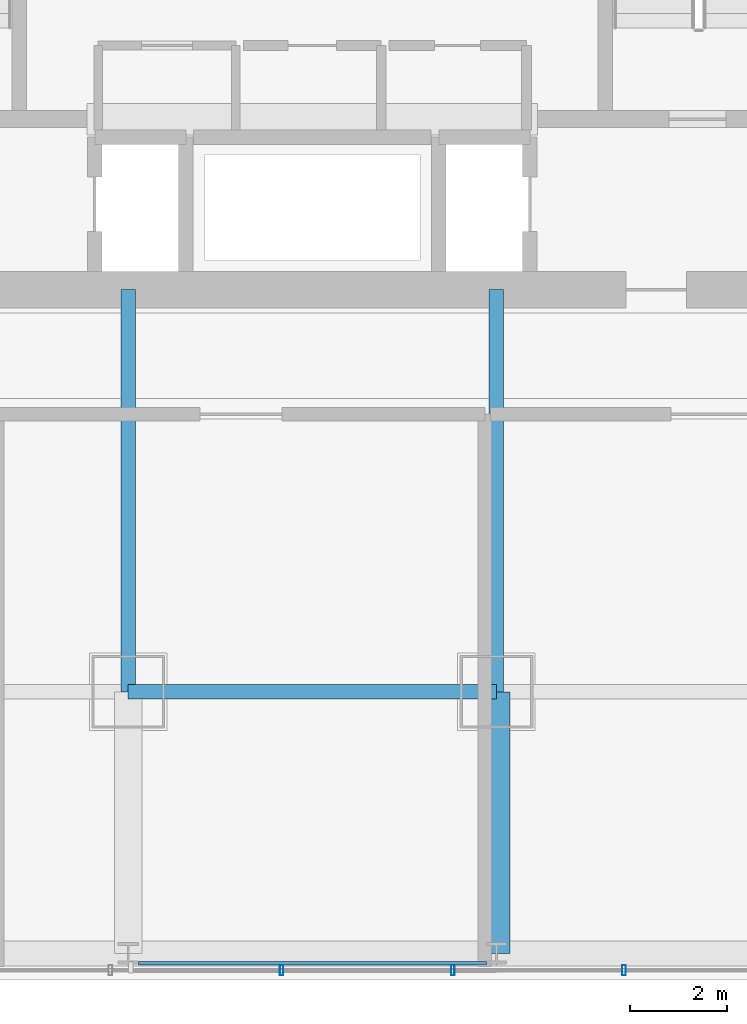
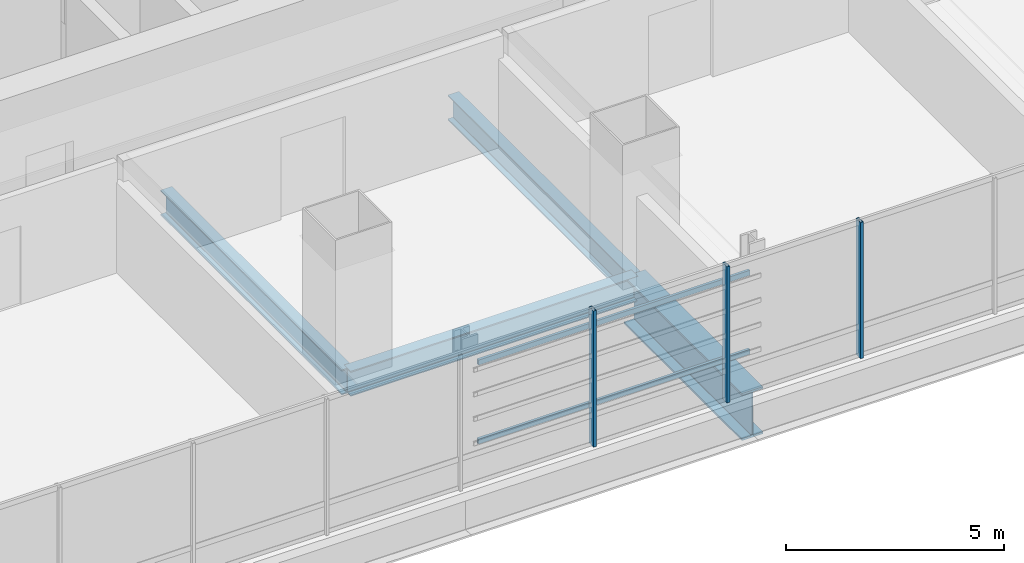
# One storey, part 8 of 36: 5 members, 4 beams, 1 element without a shape of its own.
"""IFC4 building model written with IfcOpenShell, lengths in metres."""

import ifcopenshell
import ifcopenshell.guid

model = None  # the IFC model being written
_history = None  # IfcOwnerHistory: only IFC2X3 demands one
_inside = {}  # id of a spatial element -> (the spatial element, [elements in it])
_under = {}  # id of a project, library or spatial element -> (it, [spatial elements below it])
_declared = {}  # id of a project -> (the project, [libraries it declares])
_typed = {}  # id of a type object -> (the type object, [elements of that type])
_made_of = {}  # id of a material, layer set ... -> (it, [elements and type objects made of it])


def new_model(schema):
    """Start an empty IFC model of exactly this schema.

    Asked for "IFC4X3", IfcOpenShell would pick the latest addendum, in which some entities
    have other attributes; the version numbers below select the first issue.
    IFC2X3 requires an IfcOwnerHistory on every rooted entity: one is made here for all.
    """
    global model, _history
    if schema == "IFC4X3":
        model = ifcopenshell.file(schema_version=(4, 3, 0, 0))
    else:
        model = ifcopenshell.file(schema=schema)
    _inside.clear()
    _under.clear()
    _declared.clear()
    _typed.clear()
    _made_of.clear()
    _history = None
    if model.schema == "IFC2X3":
        org = make("IfcOrganization", Name="unknown")
        user = make(
            "IfcPersonAndOrganization",
            ThePerson=make("IfcPerson", FamilyName="unknown"),
            TheOrganization=org,
        )
        app = make(
            "IfcApplication",
            ApplicationDeveloper=org,
            Version="unknown",
            ApplicationFullName="unknown",
            ApplicationIdentifier="unknown",
        )
        _history = make(
            "IfcOwnerHistory",
            OwningUser=user,
            OwningApplication=app,
            ChangeAction="ADDED",
            CreationDate=0,
        )
    return model


def make(cls, **values):
    """One entity of the class cls with the attributes given. An attribute that is None is left unset."""
    return model.create_entity(
        cls, **{name: value for name, value in values.items() if value is not None}
    )


def rooted(cls, **values):
    """An entity with a GlobalId (a new one), such as an element, a storey or a relation."""
    return make(cls, GlobalId=ifcopenshell.guid.new(), OwnerHistory=_history, **values)


def si_unit(unit_type, name, prefix=None):
    """IfcSIUnit, for example si_unit("LENGTHUNIT", "METRE", prefix="MILLI")."""
    return make("IfcSIUnit", UnitType=unit_type, Prefix=prefix, Name=name)


def assignment(units):
    """IfcUnitAssignment: the units of a project."""
    return None if units is None else make("IfcUnitAssignment", Units=units)


def point(xyz):
    """IfcCartesianPoint."""
    return None if xyz is None else make("IfcCartesianPoint", Coordinates=xyz)


def direction(xyz):
    """IfcDirection."""
    return None if xyz is None else make("IfcDirection", DirectionRatios=xyz)


def frame(location, z_axis=None, x_axis=None):
    """IfcAxis2Placement3D, a coordinate frame: its origin and axes. An axis left out is left unset."""
    return make(
        "IfcAxis2Placement3D",
        Location=point(location),
        Axis=direction(z_axis),
        RefDirection=direction(x_axis),
    )


def frame_2d(location, x_axis=None):
    """IfcAxis2Placement2D, a coordinate frame in the plane: its origin and x axis."""
    return make(
        "IfcAxis2Placement2D", Location=point(location), RefDirection=direction(x_axis)
    )


def origin():
    """The frame at (0, 0, 0) with its axes left unset."""
    return frame((0.0, 0.0, 0.0))


def origin_2d():
    """The frame at (0, 0) in the plane with its x axis left unset."""
    return frame_2d((0.0, 0.0))


def place(relative_to, where):
    """IfcLocalPlacement: puts the frame where relative to a parent placement (None: the world)."""
    return make(
        "IfcLocalPlacement", PlacementRelTo=relative_to, RelativePlacement=where
    )


def context(
    kind, dimensions, precision=None, world=None, true_north=None, identifier=None
):
    """IfcGeometricRepresentationContext, for example the 3D "Model" context."""
    return make(
        "IfcGeometricRepresentationContext",
        ContextIdentifier=identifier,
        ContextType=kind,
        CoordinateSpaceDimension=dimensions,
        Precision=precision,
        WorldCoordinateSystem=world,
        TrueNorth=true_north,
    )


def subcontext(parent, identifier, kind, view, scale=None):
    """IfcGeometricRepresentationSubContext, for example "Body" below "Model"."""
    return make(
        "IfcGeometricRepresentationSubContext",
        ContextIdentifier=identifier,
        ContextType=kind,
        ParentContext=parent,
        TargetScale=scale,
        TargetView=view,
    )


def project(units=None, contexts=None):
    """IfcProject with its units and contexts."""
    return rooted(
        "IfcProject",
        Name="project",
        RepresentationContexts=contexts,
        UnitsInContext=assignment(units),
    )


def spatial(cls, under=None, at=None, **own):
    """A site, building, storey or space (cls), placed at a placement, below another one or the project."""
    s = rooted(cls, ObjectPlacement=at, **own)
    if under is not None:
        _under.setdefault(under.id(), (under, []))[1].append(s)
    return s


def profile(cls, at=None, kind="AREA", **sizes):
    """A parametric profile (cls). Its sizes go by their IFC names, for example OverallWidth=200.0."""
    return make(cls, ProfileType=kind, Position=at, **sizes)


def hollow_rectangle(**sizes):
    """IfcRectangleHollowProfileDef."""
    return profile("IfcRectangleHollowProfileDef", **sizes)


def i_section(**sizes):
    """IfcIShapeProfileDef."""
    return profile("IfcIShapeProfileDef", **sizes)


def extrude(swept, where, along, depth):
    """IfcExtrudedAreaSolid: the profile swept, set in the frame where, extruded along a direction by depth."""
    return make(
        "IfcExtrudedAreaSolid",
        SweptArea=swept,
        Position=where,
        ExtrudedDirection=direction(along),
        Depth=depth,
    )


def shape(context_of_items, identifier, shape_type, items):
    """IfcShapeRepresentation: the items that make up one representation, for example the "Body"."""
    return make(
        "IfcShapeRepresentation",
        ContextOfItems=context_of_items,
        RepresentationIdentifier=identifier,
        RepresentationType=shape_type,
        Items=items,
    )


def material(Name=None, Category=None):
    """IfcMaterial."""
    return make("IfcMaterial", Name=Name, Category=Category)


def material_profile(
    of_material, cross_section, Name=None, Category=None, Priority=None
):
    """IfcMaterialProfile: a cross section and its material."""
    return make(
        "IfcMaterialProfile",
        Name=Name,
        Material=of_material,
        Profile=cross_section,
        Priority=Priority,
        Category=Category,
    )


def profile_set(profiles, Name=None, composite=None):
    """IfcMaterialProfileSet."""
    return make(
        "IfcMaterialProfileSet",
        Name=Name,
        MaterialProfiles=profiles,
        CompositeProfile=composite,
    )


def made_of(thing, what):
    """Note that an element or type object is made of a material, layer set ...; save() writes the relation."""
    if what is not None:
        _made_of.setdefault(what.id(), (what, []))[1].append(thing)
    return thing


def type_object(cls, material=None, **own):
    """A type object (cls), such as IfcWallType, which elements share."""
    return made_of(rooted(cls, **own), material)


def element(
    cls,
    number,
    at=None,
    inside=None,
    cuts=None,
    type_object=None,
    material=None,
    context=None,
    identifier="Body",
    shape_type=None,
    held_by="IfcProductDefinitionShape",
    body=None,
    shapes=None,
    **own,
):
    """One element of the class cls, such as IfcWall. Its Tag is "e" and its number.

    at: its placement. inside: the storey or other place that contains it. cuts: it is an
    opening in that element (IfcRelVoidsElement). A single representation is given by context,
    identifier, shape_type and body (its items); several are given by shapes. held_by: the class
    of the entity that holds the representations. save() writes the other relations.
    """
    e = rooted(cls, Tag="e%d" % number, ObjectPlacement=at, **own)
    if body is not None:
        shapes = [shape(context, identifier, shape_type, body)]
    if shapes is not None:
        e.Representation = make(held_by, Representations=shapes)
    if inside is not None:
        _inside.setdefault(inside.id(), (inside, []))[1].append(e)
    if cuts is not None:
        rooted(
            "IfcRelVoidsElement", RelatingBuildingElement=cuts, RelatedOpeningElement=e
        )
    if type_object is not None:
        _typed.setdefault(type_object.id(), (type_object, []))[1].append(e)
    return made_of(e, material)


def aggregate(whole, parts):
    """IfcRelAggregates: a whole, such as a stair, and the parts it consists of."""
    return rooted("IfcRelAggregates", RelatingObject=whole, RelatedObjects=parts)


def save(model, path):
    """Write the relations noted so far, then the file.

    IfcRelAggregates (storeys below a building ...), IfcRelContainedInSpatialStructure (elements
    in a storey), IfcRelDefinesByType, IfcRelAssociatesMaterial and IfcRelDeclares: one each for
    every whole, place, type object, material and project.
    """
    for whole, parts in _under.values():
        aggregate(whole, parts)
    for where, things in _inside.values():
        rooted(
            "IfcRelContainedInSpatialStructure",
            RelatedElements=things,
            RelatingStructure=where,
        )
    for kind, things in _typed.values():
        rooted("IfcRelDefinesByType", RelatedObjects=things, RelatingType=kind)
    for what, things in _made_of.values():
        rooted("IfcRelAssociatesMaterial", RelatedObjects=things, RelatingMaterial=what)
    for by, libraries in _declared.values():
        rooted("IfcRelDeclares", RelatingContext=by, RelatedDefinitions=libraries)
    model.write(path)


model = new_model("IFC4")

# Units and contexts
model_context = context("Model", 3, precision=1e-05, world=origin(), true_north=direction((0.0, 1.0)))
body_context = subcontext(model_context, "Body", "Model", "MODEL_VIEW")
ifc_project = project(units=[si_unit("LENGTHUNIT", "METRE"), si_unit("AREAUNIT", "SQUARE_METRE"), si_unit("VOLUMEUNIT", "CUBIC_METRE"), si_unit("PLANEANGLEUNIT", "RADIAN"), si_unit("MASSUNIT", "GRAM", prefix="KILO")], contexts=[model_context])

# Site, building, storey
site_placement = place(None, origin())
site = spatial("IfcSite", under=ifc_project, at=site_placement, CompositionType="ELEMENT")
building_placement = place(site_placement, origin())
building = spatial("IfcBuilding", under=site, at=building_placement, Name="Punatoya Terracotta Tower", CompositionType="ELEMENT")
storey_placement = place(building_placement, frame((0.0, 0.0, 48.449951171875)))
storey = spatial("IfcBuildingStorey", under=building, at=storey_placement, Name="L10", CompositionType="ELEMENT", Elevation=48.449951171875)

# Beams
ifc_material_1 = material(Name="Steel S355", Category="steel")
ifc_material_profile_1 = material_profile(ifc_material_1, i_section(OverallWidth=0.300048828125, OverallDepth=0.699951171875, WebThickness=0.01708984375, FlangeThickness=0.031982421875, FilletRadius=0.01806640625, at=origin_2d()))
ifc_profile_set_1 = profile_set([ifc_material_profile_1], Name="Steel S355")
beam_type_1 = type_object("IfcBeamType", Name="BM-PRI-700", PredefinedType="BEAM", material=ifc_profile_set_1)
beam_1_placement = place(storey_placement, frame((-3.800048828125, -17.5, -0.58984375), z_axis=(1.0, 0.0, 0.0), x_axis=(0.0, 1.0, 0.0)))
element("IfcBeam", 1, at=beam_1_placement, inside=storey, type_object=beam_type_1, Name="BM-L10-RG-S2", PredefinedType="BEAM", context=body_context, shape_type="SweptSolid", body=[
    extrude(i_section(OverallWidth=0.300048828125, OverallDepth=0.699951171875, WebThickness=0.01708984375, FlangeThickness=0.031982421875, FilletRadius=0.01806640625, at=origin_2d()), origin(), (0.0, 0.0, 1.0), 7.60009765625),
])
for number, where, z_axis, x_axis, name in (
    (2, (-3.800048828125, -17.5, -0.58984375), (0.0, 1.0, 0.0), (-1.0, 0.0, 0.0), "BM-L10-PR-S2"),
    (3, (3.800048828125, -17.5, -0.58984375), (0.0, 1.0, 0.0), (-1.0, 0.0, 0.0), "BM-L10-PR-S3"),
):
    element("IfcBeam", number, at=place(storey_placement, frame(where, z_axis=z_axis, x_axis=x_axis)), inside=storey, type_object=beam_type_1, Name=name, PredefinedType="BEAM", context=body_context, shape_type="SweptSolid", body=[
        extrude(i_section(OverallWidth=0.300048828125, OverallDepth=0.699951171875, WebThickness=0.01708984375, FlangeThickness=0.031982421875, FilletRadius=0.01806640625, at=origin_2d()), origin(), (0.0, 0.0, 1.0), 8.300048828125),
    ])
ifc_material_2 = material(Name="Steel S460", Category="steel")
ifc_material_profile_2 = material_profile(ifc_material_2, i_section(OverallWidth=0.56005859375, OverallDepth=1.320068359375, WebThickness=0.035888671875, FlangeThickness=0.054931640625, FilletRadius=0.01806640625, at=origin_2d()))
ifc_profile_set_2 = profile_set([ifc_material_profile_2], Name="Steel S460")
beam_type_2 = type_object("IfcBeamType", Name="BM-TG-BLK", PredefinedType="BEAM", material=ifc_profile_set_2)
beam_2_placement = place(storey_placement, frame((3.800048828125, -22.89990234375, -0.89990234375), z_axis=(0.0, 1.0, 0.0), x_axis=(-1.0, 0.0, 0.0)))
element("IfcBeam", 4, at=beam_2_placement, inside=storey, type_object=beam_type_2, Name="BM-L10-CANT-S3", PredefinedType="BEAM", context=body_context, shape_type="SweptSolid", body=[
    extrude(i_section(OverallWidth=0.56005859375, OverallDepth=1.320068359375, WebThickness=0.035888671875, FlangeThickness=0.054931640625, FilletRadius=0.01806640625, at=origin_2d()), origin(), (0.0, 0.0, 1.0), 5.39990234375),
])

# Curtain wall, members
ifc_material_3 = material(Name="Aluminium 6063-T6 + Double Low-E Glass", Category="aluminium")
curtain_wall_type = type_object("IfcCurtainWallType", Name="CW-M1", PredefinedType="NOTDEFINED", material=ifc_material_3)
curtain_wall_placement = place(storey_placement, origin())
curtain_wall = element("IfcCurtainWall", 5, at=curtain_wall_placement, inside=storey, type_object=curtain_wall_type, Name="L10 Curtain Wall CW-L10-S01-1", PredefinedType="NOTDEFINED")
ifc_material_4 = material(Name="Aluminium 6063-T6", Category="aluminium")
ifc_material_profile_3 = material_profile(ifc_material_4, hollow_rectangle(XDim=0.074951171875, YDim=0.2099609375, WallThickness=0.00439453125, at=origin_2d()))
ifc_profile_set_3 = profile_set([ifc_material_profile_3], Name="Aluminium 6063-T6")
member_type_1 = type_object("IfcMemberType", Name="CW-MUL-M1", PredefinedType="MULLION", material=ifc_profile_set_3)
member_1_placement = place(storey_placement, frame((-0.633056640625, -23.25, 0.0), z_axis=(0.0, 0.0, 1.0), x_axis=(1.0, 0.0, 0.0)))
member_1 = element("IfcMember", 6, at=member_1_placement, type_object=member_type_1, Name="CW-L10-S01-1 Mullion 06", PredefinedType="MULLION", context=body_context, shape_type="SweptSolid", body=[
    extrude(hollow_rectangle(XDim=0.074951171875, YDim=0.2099609375, WallThickness=0.00439453125, at=origin_2d()), origin(), (0.0, 0.0, 1.0), 3.81005859375),
])
member_2_placement = place(storey_placement, frame((2.90087890625, -23.25, 0.0), z_axis=(0.0, 0.0, 1.0), x_axis=(1.0, 0.0, 0.0)))
member_2 = element("IfcMember", 7, at=member_2_placement, type_object=member_type_1, Name="CW-L10-S01-1 Mullion 07", PredefinedType="MULLION", context=body_context, shape_type="SweptSolid", body=[
    extrude(hollow_rectangle(XDim=0.074951171875, YDim=0.2099609375, WallThickness=0.00439453125, at=origin_2d()), origin(), (0.0, 0.0, 1.0), 3.81005859375),
])
member_3_placement = place(storey_placement, frame((6.43505859375, -23.25, 0.0), z_axis=(0.0, 0.0, 1.0), x_axis=(1.0, 0.0, 0.0)))
member_3 = element("IfcMember", 8, at=member_3_placement, type_object=member_type_1, Name="CW-L10-S01-1 Mullion 08", PredefinedType="MULLION", context=body_context, shape_type="SweptSolid", body=[
    extrude(hollow_rectangle(XDim=0.074951171875, YDim=0.2099609375, WallThickness=0.00439453125, at=origin_2d()), origin(), (0.0, 0.0, 1.0), 3.81005859375),
])
aggregate(curtain_wall, [member_1, member_2, member_3])

# Members
ifc_material_profile_4 = material_profile(ifc_material_1, hollow_rectangle(XDim=0.070068359375, YDim=0.139892578125, WallThickness=0.006103515625, at=origin_2d()))
ifc_profile_set_4 = profile_set([ifc_material_profile_4], Name="Steel S355")
member_type_2 = type_object("IfcMemberType", Name="MEM-BAG-RAIL", PredefinedType="USERDEFINED", material=ifc_profile_set_4)
for number, where, z_axis, x_axis, name in (
    (9, (-3.592529296875, -23.10498046875, 1.050048828125), (1.0, 0.0, 0.0), (0.0, 1.0, 0.0), "L10 Terracotta Baguette Carrier Rail BAG-L10-S-R1"),
    (10, (-3.592529296875, -23.10498046875, 3.260009765625), (1.0, 0.0, 0.0), (0.0, 1.0, 0.0), "L10 Terracotta Baguette Carrier Rail BAG-L10-S-R2"),
):
    element("IfcMember", number, at=place(storey_placement, frame(where, z_axis=z_axis, x_axis=x_axis)), inside=storey, type_object=member_type_2, Name=name, ObjectType="BAGUETTE", PredefinedType="USERDEFINED", context=body_context, shape_type="SweptSolid", body=[
        extrude(hollow_rectangle(XDim=0.070068359375, YDim=0.139892578125, WallThickness=0.006103515625, at=origin_2d()), origin(), (0.0, 0.0, 1.0), 7.18505859375),
    ])

save(model, "model.ifc")
